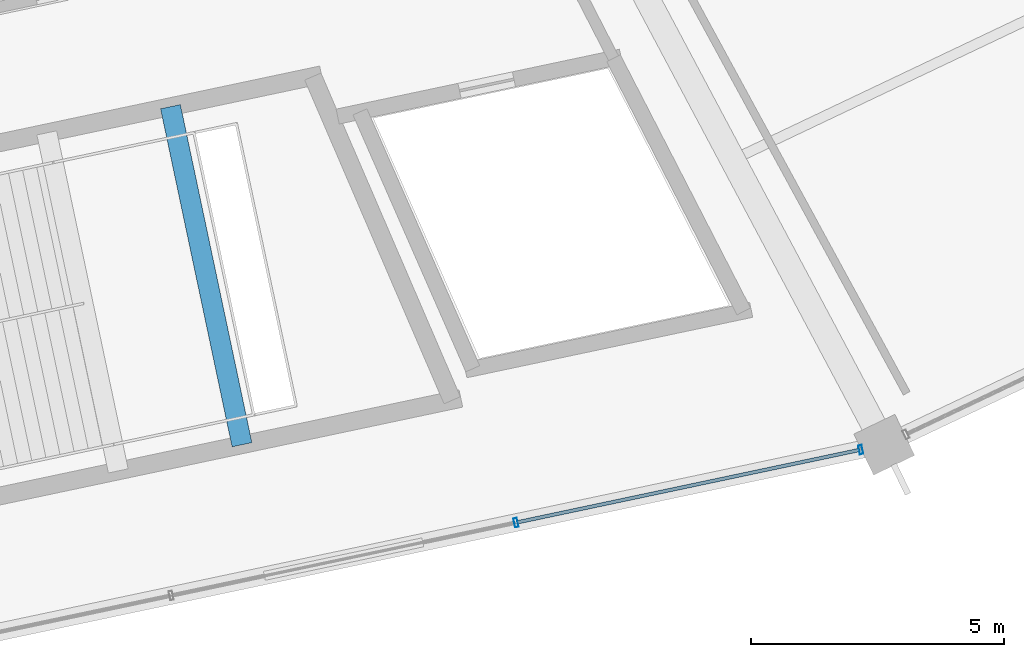
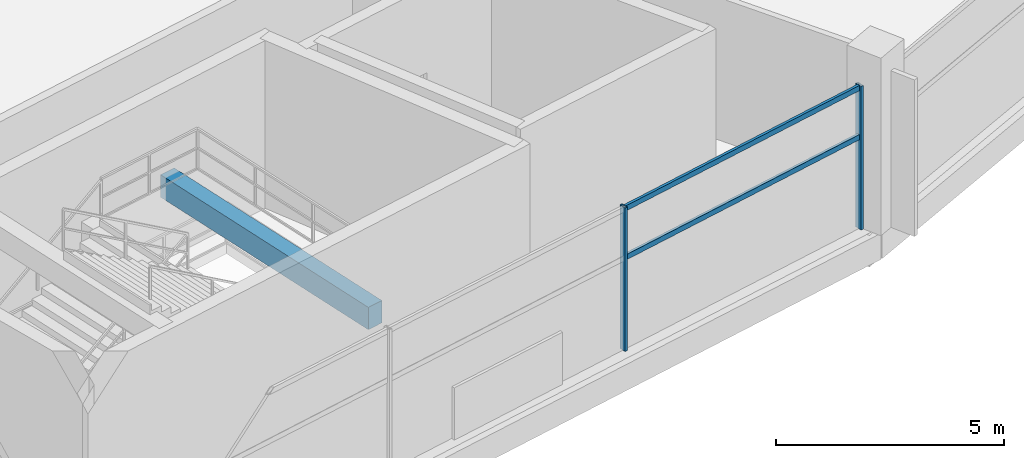
# One storey, part 41 of 156: 4 members, 1 beam, 1 element without a shape of its own.
"""IFC4 building model written with IfcOpenShell, lengths in metres."""

from ifc_helpers import new_model, si_unit, direction, frame, origin, origin_2d, place, context, subcontext, project, spatial, rectangle, hollow_rectangle, extrude, material, layer, layer_set, material_profile, profile_set, type_object, element, aggregate, save


model = new_model("IFC4")

# Units and contexts
model_context = context("Model", 3, precision=1e-05, world=origin(), true_north=direction((0.0, 1.0)))
body_context = subcontext(model_context, "Body", "Model", "MODEL_VIEW")
ifc_project = project(units=[si_unit("LENGTHUNIT", "METRE"), si_unit("AREAUNIT", "SQUARE_METRE"), si_unit("VOLUMEUNIT", "CUBIC_METRE"), si_unit("PLANEANGLEUNIT", "RADIAN"), si_unit("MASSUNIT", "GRAM", prefix="KILO")], contexts=[model_context])

# Site, building, storey
site_placement = place(None, origin())
site = spatial("IfcSite", under=ifc_project, at=site_placement, CompositionType="ELEMENT")
building_placement = place(site_placement, origin())
building = spatial("IfcBuilding", under=site, at=building_placement, Name="Kazemori Nagisa Stadium", CompositionType="ELEMENT")
storey_placement = place(building_placement, frame((0.0, 0.0, 5.780029296875)))
storey = spatial("IfcBuildingStorey", under=building, at=storey_placement, Name="L01", CompositionType="ELEMENT", Elevation=5.780029296875)

# Beam
ifc_material_1 = material(Name="Concrete C40/50 (Fc42)", Category="concrete")
ifc_material_profile_1 = material_profile(ifc_material_1, rectangle(XDim=0.39990234375, YDim=0.60009765625, at=origin_2d()), Name="RC-BM-400x600")
ifc_profile_set_1 = profile_set([ifc_material_profile_1], Name="Concrete C40/50 (Fc42)")
beam_type = type_object("IfcBeamType", Name="Beam_BG-LND400X600", PredefinedType="BEAM", material=ifc_profile_set_1)
beam_placement = place(storey_placement, frame((151.69384765625, 28.218505859375, 1.8798828125), z_axis=(0.206997403527, -0.978341491982, 0.0), x_axis=(0.978341491982, 0.206997403527, 0.0)))
element("IfcBeam", 1, at=beam_placement, inside=storey, type_object=beam_type, Name="Core stair mid-landing girder ST06-L01-2", PredefinedType="BEAM", context=body_context, shape_type="SweptSolid", body=[
    extrude(rectangle(XDim=0.39990234375, YDim=0.60009765625, at=origin_2d()), origin(), (0.0, 0.0, 1.0), 6.831298828125),
])

# Curtain wall, members
ifc_material_2 = material(Name="Anodised aluminium 6063-T5", Category="aluminium")
ifc_layer = layer(ifc_material_2, 0.179931640625, Name="Anodised aluminium 6063-T5", Category="aluminium")
ifc_layer_set = layer_set([ifc_layer], Name="Anodised aluminium 6063-T5")
curtain_wall_type = type_object("IfcCurtainWallType", Name="CW_L01R3_105", PredefinedType="USERDEFINED", material=ifc_layer_set)
curtain_wall_placement = place(storey_placement, origin())
curtain_wall = element("IfcCurtainWall", 2, at=curtain_wall_placement, inside=storey, type_object=curtain_wall_type, Name="Unitised curtain wall CW-L01R3-105 L01", ObjectType="UNITISED CURTAIN WALL", PredefinedType="USERDEFINED")
ifc_material_3 = material(Name="Aluminium 6063-T5 anodised", Category="aluminium")
ifc_material_profile_2 = material_profile(ifc_material_3, hollow_rectangle(XDim=0.070068359375, YDim=0.179931640625, WallThickness=0.00390625, at=origin_2d()), Name="ALU-MULL-70x180x4")
ifc_profile_set_2 = profile_set([ifc_material_profile_2], Name="Aluminium 6063-T5 anodised")
member_type_1 = type_object("IfcMemberType", Name="Mullion_M01", PredefinedType="MULLION", material=ifc_profile_set_2)
member_1_placement = place(storey_placement, frame((158.524169921875, 19.995361328125, 0.0), z_axis=(0.0, 0.0, 1.0), x_axis=(0.978344955407, 0.206981033502, 0.0)))
member_1 = element("IfcMember", 3, at=member_1_placement, type_object=member_type_1, Name="Curtain wall mullion CW-L01R3-105-M3", PredefinedType="MULLION", context=body_context, shape_type="SweptSolid", body=[
    extrude(hollow_rectangle(XDim=0.070068359375, YDim=0.179931640625, WallThickness=0.00390625, at=origin_2d()), origin(), (0.0, 0.0, 1.0), 3.849853515625),
])
member_2_placement = place(storey_placement, frame((165.340087890625, 21.4375, 0.0), z_axis=(0.0, 0.0, 1.0), x_axis=(0.978344955407, 0.206981033502, 0.0)))
member_2 = element("IfcMember", 4, at=member_2_placement, type_object=member_type_1, Name="Curtain wall mullion CW-L01R3-105-M4", PredefinedType="MULLION", context=body_context, shape_type="SweptSolid", body=[
    extrude(hollow_rectangle(XDim=0.070068359375, YDim=0.179931640625, WallThickness=0.00390625, at=origin_2d()), origin(), (0.0, 0.0, 1.0), 3.849853515625),
])
ifc_material_profile_3 = material_profile(ifc_material_3, hollow_rectangle(XDim=0.070068359375, YDim=0.139892578125, WallThickness=0.00390625, at=origin_2d()), Name="ALU-TRAN-70x140x4")
ifc_profile_set_3 = profile_set([ifc_material_profile_3], Name="Aluminium 6063-T5 anodised")
member_type_2 = type_object("IfcMemberType", Name="Transom_T01", PredefinedType="USERDEFINED", material=ifc_profile_set_3)
member_3_placement = place(storey_placement, frame((158.543701171875, 19.99951171875, 2.4638671875), z_axis=(0.97834174255, 0.206996219252, 0.0), x_axis=(-0.206996219252, 0.97834174255, 0.0)))
member_3 = element("IfcMember", 5, at=member_3_placement, type_object=member_type_2, Name="Curtain wall transom CW-L01R3-105-T3-mid", ObjectType="TRANSOM", PredefinedType="USERDEFINED", context=body_context, shape_type="SweptSolid", body=[
    extrude(hollow_rectangle(XDim=0.070068359375, YDim=0.139892578125, WallThickness=0.00390625, at=origin_2d()), origin(), (0.0, 0.0, 1.0), 6.9267578125),
])
member_4_placement = place(storey_placement, frame((158.543701171875, 19.99951171875, 3.780029296875), z_axis=(0.97834174255, 0.206996219252, 0.0), x_axis=(-0.206996219252, 0.97834174255, 0.0)))
member_4 = element("IfcMember", 6, at=member_4_placement, type_object=member_type_2, Name="Curtain wall transom CW-L01R3-105-T3-head", ObjectType="TRANSOM", PredefinedType="USERDEFINED", context=body_context, shape_type="SweptSolid", body=[
    extrude(hollow_rectangle(XDim=0.070068359375, YDim=0.139892578125, WallThickness=0.00390625, at=origin_2d()), origin(), (0.0, 0.0, 1.0), 6.9267578125),
])
aggregate(curtain_wall, [member_1, member_2, member_3, member_4])

save(model, "model.ifc")
